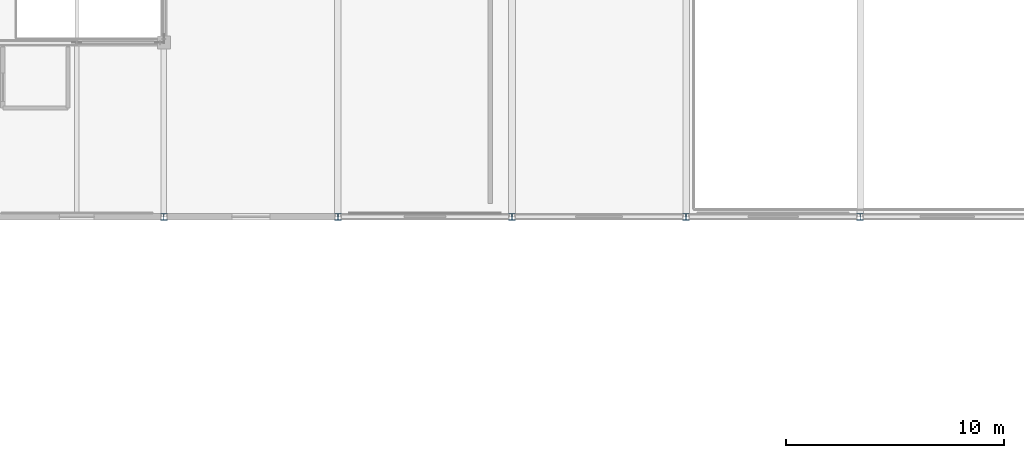
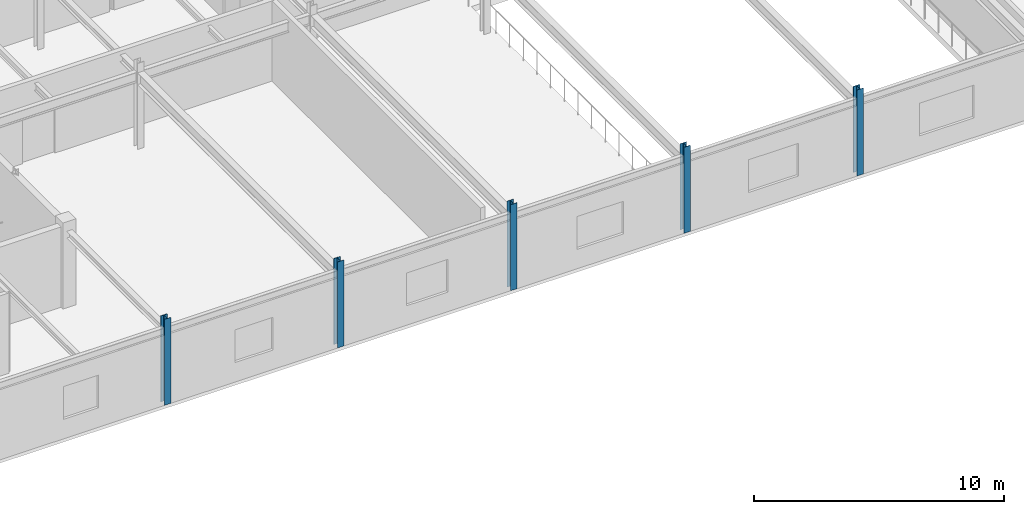
# One storey, part 3 of 88: 5 columns.
"""IFC4 building model written with IfcOpenShell, lengths in metres."""

from ifc_helpers import new_model, si_unit, direction, frame, origin, origin_2d, place, context, subcontext, project, spatial, i_section, extrude, material, material_profile, profile_set, type_object, element, save


model = new_model("IFC4")

# Units and contexts
model_context = context("Model", 3, precision=1e-05, world=origin(), true_north=direction((0.0, 1.0)))
body_context = subcontext(model_context, "Body", "Model", "MODEL_VIEW")
ifc_project = project(units=[si_unit("LENGTHUNIT", "METRE"), si_unit("AREAUNIT", "SQUARE_METRE"), si_unit("VOLUMEUNIT", "CUBIC_METRE"), si_unit("PLANEANGLEUNIT", "RADIAN"), si_unit("MASSUNIT", "GRAM", prefix="KILO")], contexts=[model_context])

# Site, building, storey
site_placement = place(None, origin())
site = spatial("IfcSite", under=ifc_project, at=site_placement, CompositionType="ELEMENT")
building_placement = place(site_placement, origin())
building = spatial("IfcBuilding", under=site, at=building_placement, Name="Zhaolan Boulevard Law Courts", CompositionType="ELEMENT")
storey_placement = place(building_placement, frame((0.0, 0.0, 16.199951171875)))
storey = spatial("IfcBuildingStorey", under=building, at=storey_placement, Name="L03", CompositionType="ELEMENT", Elevation=16.199951171875)

# Columns
ifc_material = material(Name="Structural steel Q355B", Category="steel")
ifc_material_profile = material_profile(ifc_material, i_section(OverallWidth=0.300048828125, OverallDepth=0.300048828125, WebThickness=0.010009765625, FlangeThickness=0.014892578125, FilletRadius=0.01806640625, at=origin_2d()), Name="HW300x300")
ifc_profile_set = profile_set([ifc_material_profile], Name="Structural steel Q355B")
column_type = type_object("IfcColumnType", Name="COL HW300", PredefinedType="COLUMN", material=ifc_profile_set)
for number, where, z_axis, x_axis, name in (
    (1, (92.0, 62.0, 0.0), (0.0, 0.0, 1.0), (1.0, 0.0, 0.0), "Column C-12J (L03)"),
    (2, (100.0, 62.0, 0.0), (0.0, 0.0, 1.0), (1.0, 0.0, 0.0), "Column C-13J (L03)"),
    (3, (108.0, 62.0, 0.0), (0.0, 0.0, 1.0), (1.0, 0.0, 0.0), "Column C-14J (L03)"),
    (4, (116.0, 62.0, 0.0), (0.0, 0.0, 1.0), (1.0, 0.0, 0.0), "Column C-15J (L03)"),
    (5, (124.0, 62.0, 0.0), (0.0, 0.0, 1.0), (1.0, 0.0, 0.0), "Column C-16J (L03)"),
):
    element("IfcColumn", number, at=place(storey_placement, frame(where, z_axis=z_axis, x_axis=x_axis)), inside=storey, type_object=column_type, Name=name, PredefinedType="COLUMN", context=body_context, shape_type="SweptSolid", body=[
        extrude(i_section(OverallWidth=0.300048828125, OverallDepth=0.300048828125, WebThickness=0.010009765625, FlangeThickness=0.014892578125, FilletRadius=0.01806640625, at=origin_2d()), origin(), (0.0, 0.0, 1.0), 4.199951171875),
    ])

save(model, "model.ifc")
